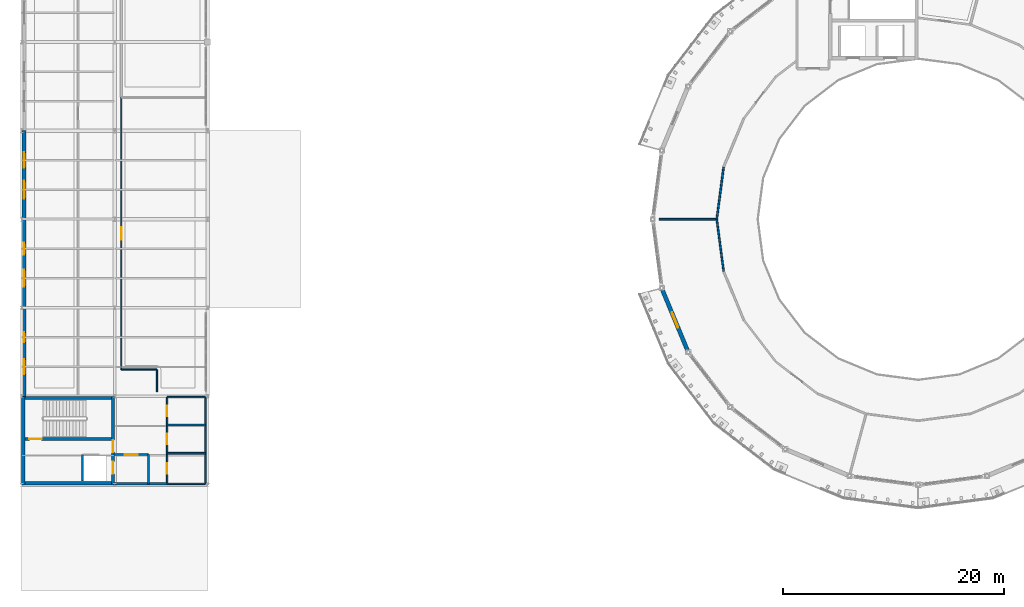
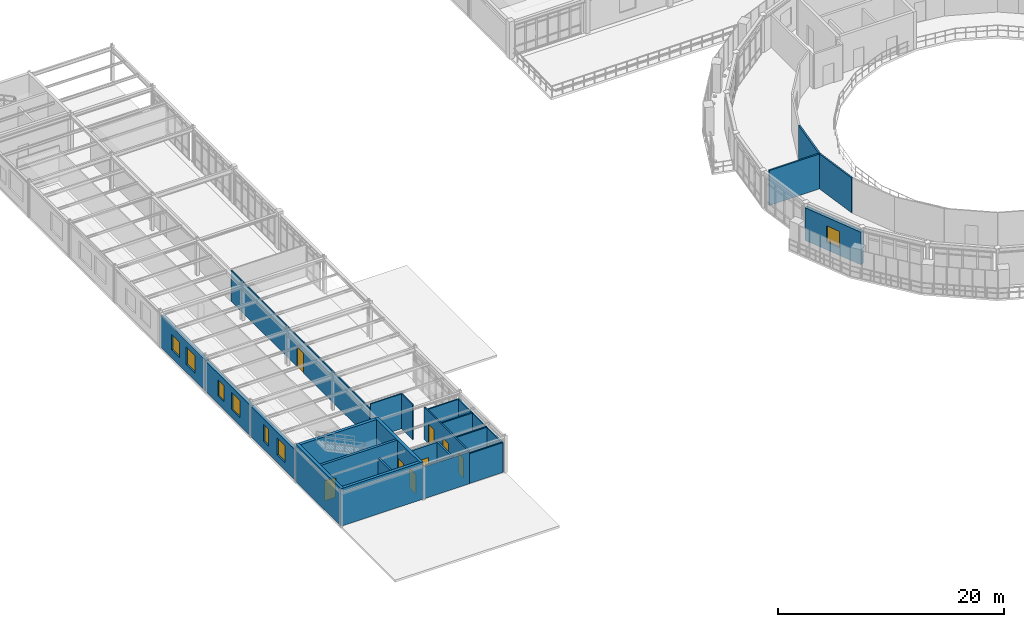
# One storey, part 43 of 58: 25 walls, 8 doors, 7 windows, 15 openings.
"""IFC4 building model written with IfcOpenShell, lengths in metres."""

from ifc_helpers import new_model, si_unit, derived_unit, direction, frame, frame_2d, origin, place, context, subcontext, project, spatial, rectangle, extrude, material, layer, layer_set, type_object, element, fill, save


model = new_model("IFC4")

# Units and contexts
model_context = context("Model", 3, precision=1e-05, world=origin(), true_north=direction((0.0, 1.0)))
body_context = subcontext(model_context, "Body", "Model", "MODEL_VIEW")
ifc_project = project(units=[si_unit("LENGTHUNIT", "METRE"), si_unit("AREAUNIT", "SQUARE_METRE"), si_unit("VOLUMEUNIT", "CUBIC_METRE"), si_unit("PLANEANGLEUNIT", "RADIAN"), si_unit("MASSUNIT", "GRAM", prefix="KILO"), derived_unit("THERMALTRANSMITTANCEUNIT", [(si_unit("POWERUNIT", "WATT"), 1), (si_unit("AREAUNIT", "SQUARE_METRE"), -1), (si_unit("THERMODYNAMICTEMPERATUREUNIT", "KELVIN"), -1)])], contexts=[model_context])

# Site, building, storey
site_placement = place(None, origin())
site = spatial("IfcSite", under=ifc_project, at=site_placement, CompositionType="ELEMENT")
building_placement = place(site_placement, origin())
building = spatial("IfcBuilding", under=site, at=building_placement, Name="Yasenodar Specialist Clinic", CompositionType="ELEMENT")
storey_placement = place(building_placement, frame((0.0, 0.0, 17.25)))
storey = spatial("IfcBuildingStorey", under=building, at=storey_placement, Name="L04", CompositionType="ELEMENT", Elevation=17.25)

# Wall, opening, window
ifc_material_1 = material(Name="Drum Insulated Terracotta Chord Wall", Category="masonry")
ifc_layer_1 = layer(ifc_material_1, 0.364990234375)
ifc_layer_set_1 = layer_set([ifc_layer_1], Name="Drum Insulated Terracotta Chord Wall")
wall_type_1 = type_object("IfcWallType", Name="EW-DRUM-365", PredefinedType="SOLIDWALL", material=ifc_layer_set_1)
wall_1_placement = place(storey_placement, frame((60.21533203125, 46.800048828125, 0.0), z_axis=(0.0, 0.0, 1.0), x_axis=(-0.382663829839, 0.9238876519, 0.0)))
wall_1 = element("IfcWall", 1, at=wall_1_placement, inside=storey, type_object=wall_type_1, Name="L04 Exterior Facade Wall 0036", PredefinedType="SOLIDWALL", context=body_context, shape_type="SweptSolid", body=[
    extrude(rectangle(XDim=6.26513671875, YDim=0.364990234375, at=frame_2d((3.132568359375, 0.0))), origin(), (0.0, 0.0, 1.0), 3.528076171875),
])
opening_1_placement = place(wall_1_placement, frame((2.40771484375, 0.0, 0.85009765625)))
opening_1 = element("IfcOpeningElement", 2, at=opening_1_placement, cuts=wall_1, Name="Opening W-22", PredefinedType="OPENING", context=body_context, shape_type="SweptSolid", body=[
    extrude(rectangle(XDim=1.449951171875, YDim=1.75, at=frame_2d((0.72509765625, 0.875))), frame((0.0, 0.1923828125, 0.0), z_axis=(0.0, -1.0, 0.0), x_axis=(1.0, 0.0, 0.0)), (0.0, 0.0, 1.0), 0.385009765625),
])
ifc_material_2 = material(Name="Triple Low-E Argon Glazing in Bronze Aluminium Frame", Category="aluminium")
window_type_1 = type_object("IfcWindowType", Name="WIN-EXT-22", PartitioningType="SINGLE_PANEL", PredefinedType="WINDOW", material=ifc_material_2)
window_1_placement = place(opening_1_placement, origin())
window_1 = element("IfcWindow", 3, at=window_1_placement, inside=storey, type_object=window_type_1, Name="L04 Triple-Glazed Reveal Window 0020", OverallHeight=1.75, OverallWidth=1.449951171875, PartitioningType="SINGLE_PANEL", PredefinedType="WINDOW", context=body_context, shape_type="SweptSolid", body=[
    extrude(rectangle(XDim=1.449951171875, YDim=1.75, at=frame_2d((0.72509765625, 0.875))), frame((0.0, 0.030029296875, 0.0), z_axis=(0.0, -1.0, 0.0), x_axis=(1.0, 0.0, 0.0)), (0.0, 0.0, 1.0), 0.06005859375),
])
fill(opening_1, window_1)

# Wall, openings, windows
ifc_material_3 = material(Name="Buff Architectural Terracotta Rainscreen", Category="masonry")
ifc_layer_2 = layer(ifc_material_3, 0.340087890625)
ifc_layer_set_2 = layer_set([ifc_layer_2], Name="Buff Architectural Terracotta Rainscreen")
wall_type_2 = type_object("IfcWallType", Name="EW-TERR-340", PredefinedType="SOLIDWALL", material=ifc_layer_set_2)
wall_2_placement = place(storey_placement, frame((0.199951171875, 42.800048828125, 0.0), z_axis=(0.0, 0.0, 1.0), x_axis=(0.0, 1.0, 0.0)))
wall_2 = element("IfcWall", 4, at=wall_2_placement, inside=storey, type_object=wall_type_2, Name="L04 Exterior Facade Wall 0119", PredefinedType="SOLIDWALL", context=body_context, shape_type="SweptSolid", body=[
    extrude(rectangle(XDim=8.0, YDim=0.340087890625, at=frame_2d((4.0, 0.0))), origin(), (0.0, 0.0, 1.0), 3.278076171875),
])
opening_2_placement = place(wall_2_placement, frame((1.99169921875, 0.0, 0.85009765625)))
opening_2 = element("IfcOpeningElement", 5, at=opening_2_placement, cuts=wall_2, Name="Opening W-02", PredefinedType="OPENING", context=body_context, shape_type="SweptSolid", body=[
    extrude(rectangle(XDim=1.35009765625, YDim=1.800048828125, at=frame_2d((0.675048828125, 0.89990234375))), frame((0.0, 0.18017578125, 0.0), z_axis=(0.0, -1.0, 0.0), x_axis=(1.0, 0.0, 0.0)), (0.0, 0.0, 1.0), 0.360107421875),
])
opening_3_placement = place(wall_2_placement, frame((4.88330078125, 0.0, 0.85009765625)))
opening_3 = element("IfcOpeningElement", 6, at=opening_3_placement, cuts=wall_2, Name="Opening W-09", PredefinedType="OPENING", context=body_context, shape_type="SweptSolid", body=[
    extrude(rectangle(XDim=0.89990234375, YDim=1.800048828125, at=frame_2d((0.449951171875, 0.89990234375))), frame((0.0, 0.18017578125, 0.0), z_axis=(0.0, -1.0, 0.0), x_axis=(1.0, 0.0, 0.0)), (0.0, 0.0, 1.0), 0.360107421875),
])
window_type_2 = type_object("IfcWindowType", Name="WIN-EXT-02", PartitioningType="SINGLE_PANEL", PredefinedType="WINDOW", material=ifc_material_2)
window_2_placement = place(opening_2_placement, origin())
window_2 = element("IfcWindow", 7, at=window_2_placement, inside=storey, type_object=window_type_2, Name="L04 Triple-Glazed Reveal Window 0124", OverallHeight=1.800048828125, OverallWidth=1.35009765625, PartitioningType="SINGLE_PANEL", PredefinedType="WINDOW", context=body_context, shape_type="SweptSolid", body=[
    extrude(rectangle(XDim=1.35009765625, YDim=1.800048828125, at=frame_2d((0.675048828125, 0.89990234375))), frame((0.0, 0.030029296875, 0.0), z_axis=(0.0, -1.0, 0.0), x_axis=(1.0, 0.0, 0.0)), (0.0, 0.0, 1.0), 0.06005859375),
])
fill(opening_2, window_2)
window_type_3 = type_object("IfcWindowType", Name="WIN-EXT-09", PartitioningType="SINGLE_PANEL", PredefinedType="WINDOW", material=ifc_material_2)
window_3_placement = place(opening_3_placement, origin())
window_3 = element("IfcWindow", 8, at=window_3_placement, inside=storey, type_object=window_type_3, Name="L04 Triple-Glazed Reveal Window 0125", OverallHeight=1.800048828125, OverallWidth=0.89990234375, PartitioningType="SINGLE_PANEL", PredefinedType="WINDOW", context=body_context, shape_type="SweptSolid", body=[
    extrude(rectangle(XDim=0.89990234375, YDim=1.800048828125, at=frame_2d((0.449951171875, 0.89990234375))), frame((0.0, 0.030029296875, 0.0), z_axis=(0.0, -1.0, 0.0), x_axis=(1.0, 0.0, 0.0)), (0.0, 0.0, 1.0), 0.06005859375),
])
fill(opening_3, window_3)

wall_3_placement = place(storey_placement, frame((0.199951171875, 50.800048828125, 0.0), z_axis=(0.0, 0.0, 1.0), x_axis=(0.0, 1.0, 0.0)))
wall_3 = element("IfcWall", 9, at=wall_3_placement, inside=storey, type_object=wall_type_2, Name="L04 Exterior Facade Wall 0120", PredefinedType="SOLIDWALL", context=body_context, shape_type="SweptSolid", body=[
    extrude(rectangle(XDim=8.0, YDim=0.340087890625, at=frame_2d((4.0, 0.0))), origin(), (0.0, 0.0, 1.0), 3.278076171875),
])
opening_4_placement = place(wall_3_placement, frame((1.916748046875, 0.0, 0.85009765625)))
opening_4 = element("IfcOpeningElement", 10, at=opening_4_placement, cuts=wall_3, Name="Opening W-03", PredefinedType="OPENING", context=body_context, shape_type="SweptSolid", body=[
    extrude(rectangle(XDim=1.5, YDim=1.85009765625, at=frame_2d((0.75, 0.925048828125))), frame((0.0, 0.18017578125, 0.0), z_axis=(0.0, -1.0, 0.0), x_axis=(1.0, 0.0, 0.0)), (0.0, 0.0, 1.0), 0.360107421875),
])
opening_5_placement = place(wall_3_placement, frame((4.808349609375, 0.0, 0.85009765625)))
opening_5 = element("IfcOpeningElement", 11, at=opening_5_placement, cuts=wall_3, Name="Opening W-10", PredefinedType="OPENING", context=body_context, shape_type="SweptSolid", body=[
    extrude(rectangle(XDim=1.050048828125, YDim=1.75, at=frame_2d((0.52490234375, 0.875))), frame((0.0, 0.18017578125, 0.0), z_axis=(0.0, -1.0, 0.0), x_axis=(1.0, 0.0, 0.0)), (0.0, 0.0, 1.0), 0.360107421875),
])
window_type_4 = type_object("IfcWindowType", Name="WIN-EXT-03", PartitioningType="SINGLE_PANEL", PredefinedType="WINDOW", material=ifc_material_2)
window_4_placement = place(opening_4_placement, origin())
window_4 = element("IfcWindow", 12, at=window_4_placement, inside=storey, type_object=window_type_4, Name="L04 Triple-Glazed Reveal Window 0126", OverallHeight=1.85009765625, OverallWidth=1.5, PartitioningType="SINGLE_PANEL", PredefinedType="WINDOW", context=body_context, shape_type="SweptSolid", body=[
    extrude(rectangle(XDim=1.5, YDim=1.85009765625, at=frame_2d((0.75, 0.925048828125))), frame((0.0, 0.030029296875, 0.0), z_axis=(0.0, -1.0, 0.0), x_axis=(1.0, 0.0, 0.0)), (0.0, 0.0, 1.0), 0.06005859375),
])
fill(opening_4, window_4)
window_type_5 = type_object("IfcWindowType", Name="WIN-EXT-10", PartitioningType="SINGLE_PANEL", PredefinedType="WINDOW", material=ifc_material_2)
window_5_placement = place(opening_5_placement, origin())
window_5 = element("IfcWindow", 13, at=window_5_placement, inside=storey, type_object=window_type_5, Name="L04 Triple-Glazed Reveal Window 0127", OverallHeight=1.75, OverallWidth=1.050048828125, PartitioningType="SINGLE_PANEL", PredefinedType="WINDOW", context=body_context, shape_type="SweptSolid", body=[
    extrude(rectangle(XDim=1.050048828125, YDim=1.75, at=frame_2d((0.52490234375, 0.875))), frame((0.0, 0.030029296875, 0.0), z_axis=(0.0, -1.0, 0.0), x_axis=(1.0, 0.0, 0.0)), (0.0, 0.0, 1.0), 0.06005859375),
])
fill(opening_5, window_5)

wall_4_placement = place(storey_placement, frame((0.199951171875, 58.800048828125, 0.0), z_axis=(0.0, 0.0, 1.0), x_axis=(0.0, 1.0, 0.0)))
wall_4 = element("IfcWall", 14, at=wall_4_placement, inside=storey, type_object=wall_type_2, Name="L04 Exterior Facade Wall 0121", PredefinedType="SOLIDWALL", context=body_context, shape_type="SweptSolid", body=[
    extrude(rectangle(XDim=8.0, YDim=0.340087890625, at=frame_2d((4.0, 0.0))), origin(), (0.0, 0.0, 1.0), 3.3779296875),
])
opening_6_placement = place(wall_4_placement, frame((1.86669921875, 0.0, 0.85009765625)))
opening_6 = element("IfcOpeningElement", 15, at=opening_6_placement, cuts=wall_4, Name="Opening W-04", PredefinedType="OPENING", context=body_context, shape_type="SweptSolid", body=[
    extrude(rectangle(XDim=1.60009765625, YDim=1.89990234375, at=frame_2d((0.800048828125, 0.949951171875))), frame((0.0, 0.18017578125, 0.0), z_axis=(0.0, -1.0, 0.0), x_axis=(1.0, 0.0, 0.0)), (0.0, 0.0, 1.0), 0.360107421875),
])
opening_7_placement = place(wall_4_placement, frame((4.63330078125, 0.0, 0.85009765625)))
opening_7 = element("IfcOpeningElement", 16, at=opening_7_placement, cuts=wall_4, Name="Opening W-11", PredefinedType="OPENING", context=body_context, shape_type="SweptSolid", body=[
    extrude(rectangle(XDim=1.39990234375, YDim=1.64990234375, at=frame_2d((0.699951171875, 0.824951171875))), frame((0.0, 0.18017578125, 0.0), z_axis=(0.0, -1.0, 0.0), x_axis=(1.0, 0.0, 0.0)), (0.0, 0.0, 1.0), 0.360107421875),
])
window_type_6 = type_object("IfcWindowType", Name="WIN-EXT-04", PartitioningType="SINGLE_PANEL", PredefinedType="WINDOW", material=ifc_material_2)
window_6_placement = place(opening_6_placement, origin())
window_6 = element("IfcWindow", 17, at=window_6_placement, inside=storey, type_object=window_type_6, Name="L04 Triple-Glazed Reveal Window 0128", OverallHeight=1.89990234375, OverallWidth=1.60009765625, PartitioningType="SINGLE_PANEL", PredefinedType="WINDOW", context=body_context, shape_type="SweptSolid", body=[
    extrude(rectangle(XDim=1.60009765625, YDim=1.89990234375, at=frame_2d((0.800048828125, 0.949951171875))), frame((0.0, 0.030029296875, 0.0), z_axis=(0.0, -1.0, 0.0), x_axis=(1.0, 0.0, 0.0)), (0.0, 0.0, 1.0), 0.06005859375),
])
fill(opening_6, window_6)
window_type_7 = type_object("IfcWindowType", Name="WIN-EXT-11", PartitioningType="SINGLE_PANEL", PredefinedType="WINDOW", material=ifc_material_2)
window_7_placement = place(opening_7_placement, origin())
window_7 = element("IfcWindow", 18, at=window_7_placement, inside=storey, type_object=window_type_7, Name="L04 Triple-Glazed Reveal Window 0129", OverallHeight=1.64990234375, OverallWidth=1.39990234375, PartitioningType="SINGLE_PANEL", PredefinedType="WINDOW", context=body_context, shape_type="SweptSolid", body=[
    extrude(rectangle(XDim=1.39990234375, YDim=1.64990234375, at=frame_2d((0.699951171875, 0.824951171875))), frame((0.0, 0.030029296875, 0.0), z_axis=(0.0, -1.0, 0.0), x_axis=(1.0, 0.0, 0.0)), (0.0, 0.0, 1.0), 0.06005859375),
])
fill(opening_7, window_7)

# Walls
ifc_material_4 = material(Name="Outpatient Examination Partition")
ifc_layer_3 = layer(ifc_material_4, 0.14990234375)
ifc_layer_set_3 = layer_set([ifc_layer_3], Name="Outpatient Examination Partition")
wall_type_3 = type_object("IfcWallType", Name="IW-CONS-150", PredefinedType="PARTITIONING", material=ifc_layer_set_3)
wall_5_placement = place(storey_placement, frame((62.802490234375, 58.780029296875, 0.0), z_axis=(0.0, 0.0, 1.0), x_axis=(0.130561305543, -0.991440237985, 0.0)))
element("IfcWall", 19, at=wall_5_placement, inside=storey, type_object=wall_type_3, Name="L04 Endocrinology Metabolic Treatment Suite Partition", PredefinedType="PARTITIONING", context=body_context, shape_type="SweptSolid", body=[
    extrude(rectangle(XDim=4.73095703125, YDim=0.14990234375, at=frame_2d((2.365478515625, 0.0))), origin(), (0.0, 0.0, 1.0), 3.780029296875),
])
ifc_material_5 = material(Name="Acoustic Double-Gypsum Consulting Partition")
ifc_layer_4 = layer(ifc_material_5, 0.159912109375)
ifc_layer_set_4 = layer_set([ifc_layer_4], Name="Acoustic Double-Gypsum Consulting Partition")
wall_type_4 = type_object("IfcWallType", Name="IW-CONS-160", PredefinedType="PARTITIONING", material=ifc_layer_set_4)
wall_6_placement = place(storey_placement, frame((63.420166015625, 63.510498046875, 0.0), z_axis=(0.0, 0.0, 1.0), x_axis=(-0.130520975042, -0.991445548214, 0.0)))
element("IfcWall", 20, at=wall_6_placement, inside=storey, type_object=wall_type_4, Name="L04 Allergy and Immunology Day Clinic Partition", PredefinedType="PARTITIONING", context=body_context, shape_type="SweptSolid", body=[
    extrude(rectangle(XDim=4.7509765625, YDim=0.159912109375, at=frame_2d((2.37548828125, 0.0))), origin(), (0.0, 0.0, 1.0), 3.780029296875),
])
wall_7_placement = place(storey_placement, frame((62.800048828125, 58.800048828125, 0.0), z_axis=(0.0, 0.0, 1.0), x_axis=(-1.0, 0.0, 0.0)))
element("IfcWall", 21, at=wall_7_placement, inside=storey, type_object=wall_type_4, Name="L04 Allergy and Immunology Day Clinic Partition", PredefinedType="PARTITIONING", context=body_context, shape_type="SweptSolid", body=[
    extrude(rectangle(XDim=5.199951171875, YDim=0.159912109375, at=frame_2d((2.60009765625, 0.0))), origin(), (0.0, 0.0, 1.0), 3.780029296875),
])

# Wall, opening, door
ifc_material_6 = material(Name="Fire-Rated Gypsum and Mineral-Wool Wall")
ifc_layer_5 = layer(ifc_material_6, 0.195068359375)
ifc_layer_set_5 = layer_set([ifc_layer_5], Name="Fire-Rated Gypsum and Mineral-Wool Wall")
wall_type_5 = type_object("IfcWallType", Name="IW-LOBBY-195", PredefinedType="PARTITIONING", material=ifc_layer_set_5)
wall_8_placement = place(storey_placement, frame((8.35009765625, 37.550048828125, 0.0), z_axis=(0.0, 0.0, 1.0), x_axis=(1.0, 0.0, 0.0)))
wall_8 = element("IfcWall", 22, at=wall_8_placement, inside=storey, type_object=wall_type_5, Name="L04 C1 Passenger Lift Lobby North Wall", PredefinedType="PARTITIONING", context=body_context, shape_type="SweptSolid", body=[
    extrude(rectangle(XDim=3.099853515625, YDim=0.195068359375, at=frame_2d((1.5498046875, 0.0))), origin(), (0.0, 0.0, 1.0), 3.488037109375),
])
opening_8_placement = place(wall_8_placement, frame((0.949951171875, 0.0, 0.0)))
opening_8 = element("IfcOpeningElement", 23, at=opening_8_placement, cuts=wall_8, Name="Opening FD-02", PredefinedType="OPENING", context=body_context, shape_type="SweptSolid", body=[
    extrude(rectangle(XDim=1.199951171875, YDim=2.14990234375, at=frame_2d((0.60009765625, 1.074951171875))), frame((0.0, 0.107421875, 0.0), z_axis=(0.0, -1.0, 0.0), x_axis=(1.0, 0.0, 0.0)), (0.0, 0.0, 1.0), 0.215087890625),
])
ifc_material_7 = material(Name="Fire-Rated Insulated Steel Door", Category="steel")
door_type_1 = type_object("IfcDoorType", Name="DR-FD-120", OperationType="NOTDEFINED", PredefinedType="DOOR", material=ifc_material_7)
door_1_placement = place(opening_8_placement, origin())
door_1 = element("IfcDoor", 24, at=door_1_placement, inside=storey, type_object=door_type_1, Name="L04 C1 Passenger Lift Lobby Door", OperationType="SINGLE_SWING_RIGHT", OverallHeight=2.14990234375, OverallWidth=1.199951171875, PredefinedType="DOOR", context=body_context, shape_type="SweptSolid", body=[
    extrude(rectangle(XDim=1.199951171875, YDim=2.14990234375, at=frame_2d((0.60009765625, 1.074951171875))), frame((0.0, 0.02490234375, 0.0), z_axis=(0.0, -1.0, 0.0), x_axis=(1.0, 0.0, 0.0)), (0.0, 0.0, 1.0), 0.050048828125),
])
fill(opening_8, door_1)

# Walls
wall_9_placement = place(storey_placement, frame((11.449951171875, 34.89990234375, 0.0), z_axis=(0.0, 0.0, 1.0), x_axis=(0.0, 1.0, 0.0)))
element("IfcWall", 25, at=wall_9_placement, inside=storey, type_object=wall_type_5, Name="L04 C1 Passenger Lift Lobby East Wall", PredefinedType="PARTITIONING", context=body_context, shape_type="SweptSolid", body=[
    extrude(rectangle(XDim=2.650146484375, YDim=0.195068359375, at=frame_2d((1.3251953125, 0.0))), origin(), (0.0, 0.0, 1.0), 3.508056640625),
])
wall_10_placement = place(storey_placement, frame((8.35009765625, 34.89990234375, 0.0), z_axis=(0.0, 0.0, 1.0), x_axis=(1.0, 0.0, 0.0)))
element("IfcWall", 26, at=wall_10_placement, inside=storey, type_object=wall_type_5, Name="L04 C1 Passenger Lift Lobby South Wall", PredefinedType="PARTITIONING", context=body_context, shape_type="SweptSolid", body=[
    extrude(rectangle(XDim=4.7998046875, YDim=0.195068359375, at=frame_2d((2.39990234375, 0.0))), origin(), (0.0, 0.0, 1.0), 3.447998046875),
])

# Wall, opening, door
ifc_material_8 = material(Name="Lightweight Counseling Partition")
ifc_layer_6 = layer(ifc_material_8, 0.114990234375)
ifc_layer_set_6 = layer_set([ifc_layer_6], Name="Lightweight Counseling Partition")
wall_type_6 = type_object("IfcWallType", Name="IW-PART-115", PredefinedType="PARTITIONING", material=ifc_layer_set_6)
wall_11_placement = place(storey_placement, frame((9.0, 45.219970703125, 0.0), z_axis=(0.0, 0.0, 1.0), x_axis=(0.0, 1.0, 0.0)))
wall_11 = element("IfcWall", 27, at=wall_11_placement, inside=storey, type_object=wall_type_6, Name="L04 Urology Diagnostic Clinic Partition", PredefinedType="PARTITIONING", context=body_context, shape_type="SweptSolid", body=[
    extrude(rectangle(XDim=24.580078125, YDim=0.114990234375, at=frame_2d((12.2900390625, 0.0))), origin(), (0.0, 0.0, 1.0), 3.327880859375),
])
opening_9_placement = place(wall_11_placement, frame((11.739990234375, 0.0, 0.0)))
opening_9 = element("IfcOpeningElement", 28, at=opening_9_placement, cuts=wall_11, Name="Opening D-05", PredefinedType="OPENING", context=body_context, shape_type="SweptSolid", body=[
    extrude(rectangle(XDim=1.1201171875, YDim=2.179931640625, at=frame_2d((0.56005859375, 1.08984375))), frame((0.0, 0.0673828125, 0.0), z_axis=(0.0, -1.0, 0.0), x_axis=(1.0, 0.0, 0.0)), (0.0, 0.0, 1.0), 0.135009765625),
])
ifc_material_9 = material(Name="Powder-Coated Steel and Acoustic Laminate Leaf", Category="steel")
door_type_2 = type_object("IfcDoorType", Name="DR-CLN-112", OperationType="NOTDEFINED", PredefinedType="DOOR", material=ifc_material_9)
door_2_placement = place(opening_9_placement, origin())
door_2 = element("IfcDoor", 29, at=door_2_placement, inside=storey, type_object=door_type_2, Name="L04 Urology Diagnostic Clinic Door", OperationType="SINGLE_SWING_RIGHT", OverallHeight=2.179931640625, OverallWidth=1.1201171875, PredefinedType="DOOR", context=body_context, shape_type="SweptSolid", body=[
    extrude(rectangle(XDim=1.1201171875, YDim=2.179931640625, at=frame_2d((0.56005859375, 1.08984375))), frame((0.0, 0.02490234375, 0.0), z_axis=(0.0, -1.0, 0.0), x_axis=(1.0, 0.0, 0.0)), (0.0, 0.0, 1.0), 0.050048828125),
])
fill(opening_9, door_2)

# Walls
wall_12_placement = place(storey_placement, frame((12.219970703125, 45.219970703125, 0.0), z_axis=(0.0, 0.0, 1.0), x_axis=(-1.0, 0.0, 0.0)))
element("IfcWall", 30, at=wall_12_placement, inside=storey, type_object=wall_type_6, Name="L04 Urology Diagnostic Clinic Partition", PredefinedType="PARTITIONING", context=body_context, shape_type="SweptSolid", body=[
    extrude(rectangle(XDim=3.219970703125, YDim=0.114990234375, at=frame_2d((1.60986328125, 0.0))), origin(), (0.0, 0.0, 1.0), 3.780029296875),
])
wall_13_placement = place(storey_placement, frame((12.219970703125, 43.199951171875, 0.0), z_axis=(0.0, 0.0, 1.0), x_axis=(0.0, 1.0, 0.0)))
element("IfcWall", 31, at=wall_13_placement, inside=storey, type_object=wall_type_6, Name="L04 Urology Diagnostic Clinic Partition", PredefinedType="PARTITIONING", context=body_context, shape_type="SweptSolid", body=[
    extrude(rectangle(XDim=2.02001953125, YDim=0.114990234375, at=frame_2d((1.010009765625, 0.0))), origin(), (0.0, 0.0, 1.0), 3.780029296875),
])
ifc_material_10 = material(Name="Aerated Concrete Blockwork Fire Shaft Wall", Category="masonry")
ifc_layer_7 = layer(ifc_material_10, 0.205078125)
ifc_layer_set_7 = layer_set([ifc_layer_7], Name="Aerated Concrete Blockwork Fire Shaft Wall")
wall_type_7 = type_object("IfcWallType", Name="IW-SHAFT-205", PredefinedType="PARTITIONING", material=ifc_layer_set_7)
wall_14_placement = place(storey_placement, frame((5.5, 35.14990234375, 0.0), z_axis=(0.0, 0.0, 1.0), x_axis=(0.0, 1.0, 0.0)))
element("IfcWall", 32, at=wall_14_placement, inside=storey, type_object=wall_type_7, Name="L04 LF-01 Lift Shaft Side Wall", PredefinedType="PARTITIONING", context=body_context, shape_type="SweptSolid", body=[
    extrude(rectangle(XDim=2.400146484375, YDim=0.205078125, at=frame_2d((1.2001953125, 0.0))), origin(), (0.0, 0.0, 1.0), 3.780029296875),
])

# Wall, openings, doors
ifc_material_11 = material(Name="Moisture-Resistant Sanitary Partition")
ifc_layer_8 = layer(ifc_material_11, 0.139892578125)
ifc_layer_set_8 = layer_set([ifc_layer_8], Name="Moisture-Resistant Sanitary Partition")
wall_type_8 = type_object("IfcWallType", Name="IW-WET-140", PredefinedType="PARTITIONING", material=ifc_layer_set_8)
wall_15_placement = place(storey_placement, frame((13.14990234375, 34.89990234375, 0.0), z_axis=(0.0, 0.0, 1.0), x_axis=(0.0, 1.0, 0.0)))
wall_15 = element("IfcWall", 33, at=wall_15_placement, inside=storey, type_object=wall_type_8, Name="L04 West Sanitary Block Corridor Wall", PredefinedType="PARTITIONING", context=body_context, shape_type="SweptSolid", body=[
    extrude(rectangle(XDim=7.820068359375, YDim=0.139892578125, at=frame_2d((3.91015625, 0.0))), origin(), (0.0, 0.0, 1.0), 3.508056640625),
])
opening_10_placement = place(wall_15_placement, frame((0.89990234375, 0.0, 0.0)))
opening_10 = element("IfcOpeningElement", 34, at=opening_10_placement, cuts=wall_15, Name="Opening D-01", PredefinedType="OPENING", context=body_context, shape_type="SweptSolid", body=[
    extrude(rectangle(XDim=0.949951171875, YDim=2.1201171875, at=frame_2d((0.47509765625, 1.06005859375))), frame((0.0, 0.080078125, 0.0), z_axis=(0.0, -1.0, 0.0), x_axis=(1.0, 0.0, 0.0)), (0.0, 0.0, 1.0), 0.159912109375),
])
opening_11_placement = place(wall_15_placement, frame((3.550048828125, 0.0, 0.0)))
opening_11 = element("IfcOpeningElement", 35, at=opening_11_placement, cuts=wall_15, Name="Opening D-02", PredefinedType="OPENING", context=body_context, shape_type="SweptSolid", body=[
    extrude(rectangle(XDim=0.97998046875, YDim=2.139892578125, at=frame_2d((0.489990234375, 1.06982421875))), frame((0.0, 0.080078125, 0.0), z_axis=(0.0, -1.0, 0.0), x_axis=(1.0, 0.0, 0.0)), (0.0, 0.0, 1.0), 0.159912109375),
])
opening_12_placement = place(wall_15_placement, frame((6.080078125, 0.0, 0.0)))
opening_12 = element("IfcOpeningElement", 36, at=opening_12_placement, cuts=wall_15, Name="Opening D-02", PredefinedType="OPENING", context=body_context, shape_type="SweptSolid", body=[
    extrude(rectangle(XDim=0.97998046875, YDim=2.139892578125, at=frame_2d((0.489990234375, 1.06982421875))), frame((0.0, 0.080078125, 0.0), z_axis=(0.0, -1.0, 0.0), x_axis=(1.0, 0.0, 0.0)), (0.0, 0.0, 1.0), 0.159912109375),
])
door_type_3 = type_object("IfcDoorType", Name="DR-CLN-095", OperationType="NOTDEFINED", PredefinedType="DOOR", material=ifc_material_9)
door_3_placement = place(opening_10_placement, origin())
door_3 = element("IfcDoor", 37, at=door_3_placement, inside=storey, type_object=door_type_3, Name="L04 Accessible WC Door", OperationType="SINGLE_SWING_LEFT", OverallHeight=2.1201171875, OverallWidth=0.949951171875, PredefinedType="DOOR", context=body_context, shape_type="SweptSolid", body=[
    extrude(rectangle(XDim=0.949951171875, YDim=2.1201171875, at=frame_2d((0.47509765625, 1.06005859375))), frame((0.0, 0.02490234375, 0.0), z_axis=(0.0, -1.0, 0.0), x_axis=(1.0, 0.0, 0.0)), (0.0, 0.0, 1.0), 0.050048828125),
])
fill(opening_10, door_3)
door_type_4 = type_object("IfcDoorType", Name="DR-CLN-098", OperationType="NOTDEFINED", PredefinedType="DOOR", material=ifc_material_9)
door_4_placement = place(opening_11_placement, origin())
door_4 = element("IfcDoor", 38, at=door_4_placement, inside=storey, type_object=door_type_4, Name="L04 Patient Washroom WC Door", OperationType="SINGLE_SWING_RIGHT", OverallHeight=2.139892578125, OverallWidth=0.97998046875, PredefinedType="DOOR", context=body_context, shape_type="SweptSolid", body=[
    extrude(rectangle(XDim=0.97998046875, YDim=2.139892578125, at=frame_2d((0.489990234375, 1.06982421875))), frame((0.0, 0.02490234375, 0.0), z_axis=(0.0, -1.0, 0.0), x_axis=(1.0, 0.0, 0.0)), (0.0, 0.0, 1.0), 0.050048828125),
])
fill(opening_11, door_4)
door_5_placement = place(opening_12_placement, origin())
door_5 = element("IfcDoor", 39, at=door_5_placement, inside=storey, type_object=door_type_4, Name="L04 Staff Washroom WC Door", OperationType="SINGLE_SWING_LEFT", OverallHeight=2.139892578125, OverallWidth=0.97998046875, PredefinedType="DOOR", context=body_context, shape_type="SweptSolid", body=[
    extrude(rectangle(XDim=0.97998046875, YDim=2.139892578125, at=frame_2d((0.489990234375, 1.06982421875))), frame((0.0, 0.02490234375, 0.0), z_axis=(0.0, -1.0, 0.0), x_axis=(1.0, 0.0, 0.0)), (0.0, 0.0, 1.0), 0.050048828125),
])
fill(opening_12, door_5)

# Walls
wall_16_placement = place(storey_placement, frame((16.60009765625, 34.89990234375, 0.0), z_axis=(0.0, 0.0, 1.0), x_axis=(0.0, 1.0, 0.0)))
element("IfcWall", 40, at=wall_16_placement, inside=storey, type_object=wall_type_8, Name="L04 West Sanitary Block East Wall", PredefinedType="PARTITIONING", context=body_context, shape_type="SweptSolid", body=[
    extrude(rectangle(XDim=7.820068359375, YDim=0.139892578125, at=frame_2d((3.91015625, 0.0))), origin(), (0.0, 0.0, 1.0), 3.177978515625),
])
wall_17_placement = place(storey_placement, frame((13.14990234375, 34.89990234375, 0.0), z_axis=(0.0, 0.0, 1.0), x_axis=(1.0, 0.0, 0.0)))
element("IfcWall", 41, at=wall_17_placement, inside=storey, type_object=wall_type_8, Name="L04 West Sanitary Block South Wall", PredefinedType="PARTITIONING", context=body_context, shape_type="SweptSolid", body=[
    extrude(rectangle(XDim=3.4501953125, YDim=0.139892578125, at=frame_2d((1.72509765625, 0.0))), origin(), (0.0, 0.0, 1.0), 3.22802734375),
])
wall_18_placement = place(storey_placement, frame((13.14990234375, 42.719970703125, 0.0), z_axis=(0.0, 0.0, 1.0), x_axis=(1.0, 0.0, 0.0)))
element("IfcWall", 42, at=wall_18_placement, inside=storey, type_object=wall_type_8, Name="L04 West Sanitary Block North Wall", PredefinedType="PARTITIONING", context=body_context, shape_type="SweptSolid", body=[
    extrude(rectangle(XDim=3.4501953125, YDim=0.139892578125, at=frame_2d((1.72509765625, 0.0))), origin(), (0.0, 0.0, 1.0), 3.177978515625),
])
for number, where, z_axis, x_axis, name in (
    (43, (13.14990234375, 37.659912109375, 0.0), (0.0, 0.0, 1.0), (1.0, 0.0, 0.0), "L04 West Accessible WC Divider Wall"),
    (44, (13.14990234375, 40.2099609375, 0.0), (0.0, 0.0, 1.0), (1.0, 0.0, 0.0), "L04 West Patient and Staff WC Divider Wall"),
):
    element("IfcWall", number, at=place(storey_placement, frame(where, z_axis=z_axis, x_axis=x_axis)), inside=storey, type_object=wall_type_8, Name=name, PredefinedType="PARTITIONING", context=body_context, shape_type="SweptSolid", body=[
        extrude(rectangle(XDim=3.4501953125, YDim=0.139892578125, at=frame_2d((1.72509765625, 0.0))), origin(), (0.0, 0.0, 1.0), 3.22802734375),
    ])

# Wall, opening, door
ifc_material_12 = material(Name="Concrete C35/45", Category="concrete")
ifc_layer_9 = layer(ifc_material_12, 0.25)
ifc_layer_set_9 = layer_set([ifc_layer_9], Name="Concrete C35/45")
wall_type_9 = type_object("IfcWallType", Name="WL-CORE-250", PredefinedType="SHEAR", material=ifc_layer_set_9)
wall_19_placement = place(storey_placement, frame((0.300048828125, 38.949951171875, 0.0), z_axis=(0.0, 0.0, 1.0), x_axis=(1.0, 0.0, 0.0)))
wall_19 = element("IfcWall", 45, at=wall_19_placement, inside=storey, type_object=wall_type_9, Name="L04 Core C1 Central Spine Wall", PredefinedType="SHEAR", context=body_context, shape_type="SweptSolid", body=[
    extrude(rectangle(XDim=7.800048828125, YDim=0.25, at=frame_2d((3.89990234375, 0.0))), origin(), (0.0, 0.0, 1.0), 4.050048828125),
])
opening_13_placement = place(wall_19_placement, frame((0.39990234375, 0.0, 0.0)))
opening_13 = element("IfcOpeningElement", 46, at=opening_13_placement, cuts=wall_19, Name="Opening FD-01", PredefinedType="OPENING", context=body_context, shape_type="SweptSolid", body=[
    extrude(rectangle(XDim=1.10009765625, YDim=2.14990234375, at=frame_2d((0.550048828125, 1.074951171875))), frame((0.0, 0.135009765625, 0.0), z_axis=(0.0, -1.0, 0.0), x_axis=(1.0, 0.0, 0.0)), (0.0, 0.0, 1.0), 0.27001953125),
])
door_type_5 = type_object("IfcDoorType", Name="DR-FD-110", OperationType="NOTDEFINED", PredefinedType="DOOR", material=ifc_material_7)
door_6_placement = place(opening_13_placement, origin())
door_6 = element("IfcDoor", 47, at=door_6_placement, inside=storey, type_object=door_type_5, Name="L04 ST-01 Protected Stair Door", OperationType="SINGLE_SWING_RIGHT", OverallHeight=2.14990234375, OverallWidth=1.10009765625, PredefinedType="DOOR", context=body_context, shape_type="SweptSolid", body=[
    extrude(rectangle(XDim=1.10009765625, YDim=2.14990234375, at=frame_2d((0.550048828125, 1.074951171875))), frame((0.0, 0.02490234375, 0.0), z_axis=(0.0, -1.0, 0.0), x_axis=(1.0, 0.0, 0.0)), (0.0, 0.0, 1.0), 0.050048828125),
])
fill(opening_13, door_6)

# Walls
ifc_layer_10 = layer(ifc_material_12, 0.300048828125)
ifc_layer_set_10 = layer_set([ifc_layer_10], Name="Concrete C35/45")
wall_type_10 = type_object("IfcWallType", Name="WL-CORE-300", PredefinedType="SHEAR", material=ifc_layer_set_10)
for number, where, z_axis, x_axis, name in (
    (48, (0.0, 42.64990234375, 0.0), (0.0, 0.0, 1.0), (1.0, 0.0, 0.0), "L04 Core C1 North Shear Wall"),
    (49, (0.0, 34.949951171875, 0.0), (0.0, 0.0, 1.0), (1.0, 0.0, 0.0), "L04 Core C1 South Shear Wall"),
):
    element("IfcWall", number, at=place(storey_placement, frame(where, z_axis=z_axis, x_axis=x_axis)), inside=storey, type_object=wall_type_10, Name=name, PredefinedType="SHEAR", context=body_context, shape_type="SweptSolid", body=[
        extrude(rectangle(XDim=8.39990234375, YDim=0.300048828125, at=frame_2d((4.199951171875, 0.0))), origin(), (0.0, 0.0, 1.0), 4.050048828125),
    ])
wall_20_placement = place(storey_placement, frame((0.14990234375, 34.800048828125, 0.0), z_axis=(0.0, 0.0, 1.0), x_axis=(0.0, 1.0, 0.0)))
element("IfcWall", 50, at=wall_20_placement, inside=storey, type_object=wall_type_10, Name="L04 Core C1 West Shear Wall", PredefinedType="SHEAR", context=body_context, shape_type="SweptSolid", body=[
    extrude(rectangle(XDim=8.0, YDim=0.300048828125, at=frame_2d((4.0, 0.0))), origin(), (0.0, 0.0, 1.0), 4.050048828125),
])

# Wall, openings, doors
wall_21_placement = place(storey_placement, frame((8.25, 34.800048828125, 0.0), z_axis=(0.0, 0.0, 1.0), x_axis=(0.0, 1.0, 0.0)))
wall_21 = element("IfcWall", 51, at=wall_21_placement, inside=storey, type_object=wall_type_10, Name="L04 Core C1 East Shear Wall", PredefinedType="SHEAR", context=body_context, shape_type="SweptSolid", body=[
    extrude(rectangle(XDim=8.0, YDim=0.300048828125, at=frame_2d((4.0, 0.0))), origin(), (0.0, 0.0, 1.0), 4.050048828125),
])
opening_14_placement = place(wall_21_placement, frame((2.949951171875, 0.0, 0.0)))
opening_14 = element("IfcOpeningElement", 52, at=opening_14_placement, cuts=wall_21, Name="Opening FD-01", PredefinedType="OPENING", context=body_context, shape_type="SweptSolid", body=[
    extrude(rectangle(XDim=1.10009765625, YDim=2.14990234375, at=frame_2d((0.550048828125, 1.074951171875))), frame((0.0, 0.16015625, 0.0), z_axis=(0.0, -1.0, 0.0), x_axis=(1.0, 0.0, 0.0)), (0.0, 0.0, 1.0), 0.320068359375),
])
opening_15_placement = place(wall_21_placement, frame((1.0, 0.0, 0.0)))
opening_15 = element("IfcOpeningElement", 53, at=opening_15_placement, cuts=wall_21, Name="Opening LD-03", PredefinedType="OPENING", context=body_context, shape_type="SweptSolid", body=[
    extrude(rectangle(XDim=1.10009765625, YDim=2.10009765625, at=frame_2d((0.550048828125, 1.050048828125))), frame((0.0, 0.16015625, 0.0), z_axis=(0.0, -1.0, 0.0), x_axis=(1.0, 0.0, 0.0)), (0.0, 0.0, 1.0), 0.320068359375),
])
door_7_placement = place(opening_14_placement, origin())
door_7 = element("IfcDoor", 54, at=door_7_placement, inside=storey, type_object=door_type_5, Name="L04 Stair ST-01 Vestibule Door", OperationType="SINGLE_SWING_RIGHT", OverallHeight=2.14990234375, OverallWidth=1.10009765625, PredefinedType="DOOR", context=body_context, shape_type="SweptSolid", body=[
    extrude(rectangle(XDim=1.10009765625, YDim=2.14990234375, at=frame_2d((0.550048828125, 1.074951171875))), frame((0.0, 0.02490234375, 0.0), z_axis=(0.0, -1.0, 0.0), x_axis=(1.0, 0.0, 0.0)), (0.0, 0.0, 1.0), 0.050048828125),
])
fill(opening_14, door_7)
door_type_6 = type_object("IfcDoorType", Name="DR-LD-110", OperationType="DOUBLE_DOOR_SLIDING", PredefinedType="DOOR", material=ifc_material_7)
door_8_placement = place(opening_15_placement, origin())
door_8 = element("IfcDoor", 55, at=door_8_placement, inside=storey, type_object=door_type_6, Name="L04 LF-01 Lift Landing Door", OperationType="DOUBLE_DOOR_SLIDING", OverallHeight=2.10009765625, OverallWidth=1.10009765625, PredefinedType="DOOR", context=body_context, shape_type="SweptSolid", body=[
    extrude(rectangle(XDim=1.10009765625, YDim=2.10009765625, at=frame_2d((0.550048828125, 1.050048828125))), frame((0.0, 0.02490234375, 0.0), z_axis=(0.0, -1.0, 0.0), x_axis=(1.0, 0.0, 0.0)), (0.0, 0.0, 1.0), 0.050048828125),
])
fill(opening_15, door_8)

save(model, "model.ifc")
